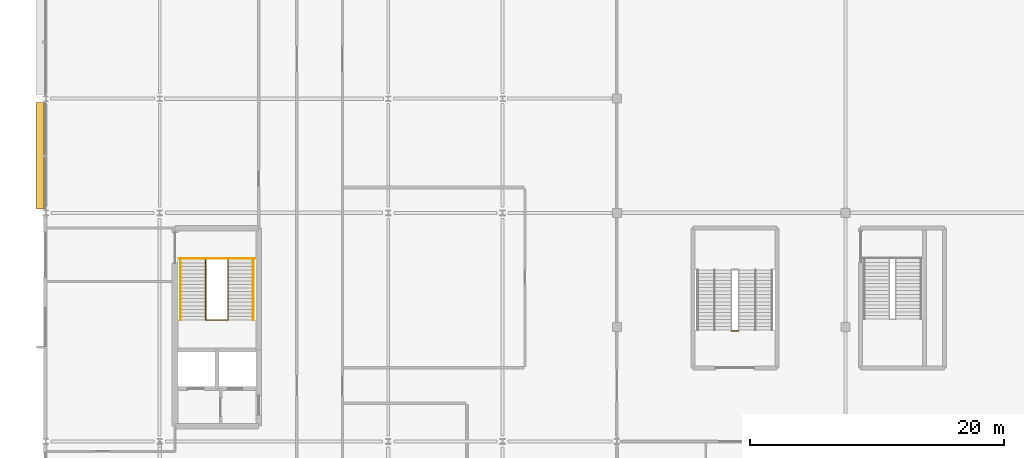
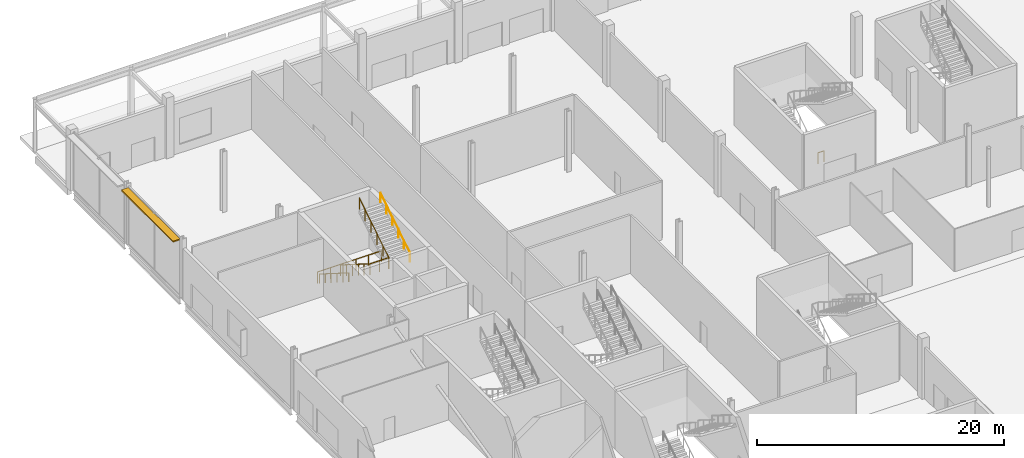
# One storey, part 74 of 84: 5 railings, 1 shading device.
"""IFC4 building model written with IfcOpenShell, lengths in metres."""

from ifc_helpers import new_model, si_unit, direction, frame, origin, origin_2d, place, context, subcontext, project, spatial, rectangle, circle, extrude, material, type_object, element, save


model = new_model("IFC4")

# Units and contexts
model_context = context("Model", 3, precision=1e-05, world=origin(), true_north=direction((0.0, 1.0)))
body_context = subcontext(model_context, "Body", "Model", "MODEL_VIEW")
ifc_project = project(units=[si_unit("LENGTHUNIT", "METRE"), si_unit("AREAUNIT", "SQUARE_METRE"), si_unit("VOLUMEUNIT", "CUBIC_METRE"), si_unit("PLANEANGLEUNIT", "RADIAN"), si_unit("MASSUNIT", "GRAM", prefix="KILO")], contexts=[model_context])

# Site, building, storey
site_placement = place(None, origin())
site = spatial("IfcSite", under=ifc_project, at=site_placement, CompositionType="ELEMENT")
building_placement = place(site_placement, origin())
building = spatial("IfcBuilding", under=site, at=building_placement, Name="Kisiwana Market Hall", CompositionType="ELEMENT")
storey_placement = place(building_placement, origin())
storey = spatial("IfcBuildingStorey", under=building, at=storey_placement, Name="L00", CompositionType="ELEMENT", Elevation=0.0)

# Railings
ifc_material_1 = material(Name="Steel S275", Category="steel")
railing_type_1 = type_object("IfcRailingType", Name="RL-GUARD-1100", PredefinedType="GUARDRAIL", material=ifc_material_1)
railing_1_placement = place(storey_placement, frame((12.625, 98.325439453125, 0.0)))
element("IfcRailing", 1, at=railing_1_placement, inside=storey, type_object=railing_type_1, Name="Stair ST-W1-L00 inner-well guardrail (RL-151)", PredefinedType="GUARDRAIL", context=body_context, shape_type="SweptSolid", body=[
    extrude(circle(Radius=0.02392578125, at=origin_2d()), frame((0.0, 0.0, 1.076171875), z_axis=(0.0, -0.845995810448, 0.533189542944), x_axis=(1.0, 0.0, 0.0)), (0.0, 0.0, 1.0), 5.62646484375),
    extrude(circle(Radius=0.02392578125, at=origin_2d()), frame((0.0, -4.760009765625, 4.076171875), z_axis=(1.0, 0.0, 0.0), x_axis=(0.0, 1.0, 0.0)), (0.0, 0.0, 1.0), 1.75),
    extrude(circle(Radius=0.02392578125, at=origin_2d()), frame((1.75, -4.760009765625, 4.076171875), z_axis=(0.0, 0.845995810448, 0.533189542944), x_axis=(-1.0, 0.0, 0.0)), (0.0, 0.0, 1.0), 5.62646484375),
    extrude(circle(Radius=0.02099609375, at=origin_2d()), origin(), (0.0, 0.0, 1.0), 1.052001953125),
    extrude(circle(Radius=0.02099609375, at=origin_2d()), frame((0.0, -0.951904296875, 0.60009765625)), (0.0, 0.0, 1.0), 1.052001953125),
    extrude(circle(Radius=0.02099609375, at=origin_2d()), frame((0.0, -1.904052734375, 1.199951171875)), (0.0, 0.0, 1.0), 1.052001953125),
    extrude(circle(Radius=0.02099609375, at=origin_2d()), frame((0.0, -2.85595703125, 1.800048828125)), (0.0, 0.0, 1.0), 1.052001953125),
    extrude(circle(Radius=0.02099609375, at=origin_2d()), frame((0.0, -3.80810546875, 2.39990234375)), (0.0, 0.0, 1.0), 1.052001953125),
    extrude(circle(Radius=0.02099609375, at=origin_2d()), frame((0.0, -4.760009765625, 3.0)), (0.0, 0.0, 1.0), 1.052001953125),
    extrude(circle(Radius=0.02099609375, at=origin_2d()), frame((0.875, -4.760009765625, 3.0)), (0.0, 0.0, 1.0), 1.052001953125),
    extrude(circle(Radius=0.02099609375, at=origin_2d()), frame((1.75, -4.760009765625, 3.0)), (0.0, 0.0, 1.0), 1.052001953125),
    extrude(circle(Radius=0.02099609375, at=origin_2d()), frame((1.75, -3.80810546875, 3.60009765625)), (0.0, 0.0, 1.0), 1.052001953125),
    extrude(circle(Radius=0.02099609375, at=origin_2d()), frame((1.75, -2.85595703125, 4.199951171875)), (0.0, 0.0, 1.0), 1.052001953125),
    extrude(circle(Radius=0.02099609375, at=origin_2d()), frame((1.75, -1.904052734375, 4.800048828125)), (0.0, 0.0, 1.0), 1.052001953125),
    extrude(circle(Radius=0.02099609375, at=origin_2d()), frame((1.75, -0.951904296875, 5.39990234375)), (0.0, 0.0, 1.0), 1.052001953125),
    extrude(circle(Radius=0.02099609375, at=origin_2d()), frame((1.75, 0.0, 6.0)), (0.0, 0.0, 1.0), 1.052001953125),
])
railing_2_placement = place(storey_placement, frame((10.5048828125, 98.405517578125, 0.0)))
element("IfcRailing", 2, at=railing_2_placement, inside=storey, type_object=railing_type_1, Name="Stair ST-W1-L00 landing edge guardrail (RL-154)", PredefinedType="GUARDRAIL", context=body_context, shape_type="SweptSolid", body=[
    extrude(circle(Radius=0.02392578125, at=origin_2d()), frame((0.0, 0.0, 1.076171875), z_axis=(1.0, 0.0, 0.0), x_axis=(0.0, 1.0, 0.0)), (0.0, 0.0, 1.0), 5.990234375),
    extrude(circle(Radius=0.02099609375, at=origin_2d()), origin(), (0.0, 0.0, 1.0), 1.052001953125),
    extrude(circle(Radius=0.02099609375, at=origin_2d()), frame((1.197998046875, 0.0, 0.0)), (0.0, 0.0, 1.0), 1.052001953125),
    extrude(circle(Radius=0.02099609375, at=origin_2d()), frame((2.39599609375, 0.0, 0.0)), (0.0, 0.0, 1.0), 1.052001953125),
    extrude(circle(Radius=0.02099609375, at=origin_2d()), frame((3.59423828125, 0.0, 0.0)), (0.0, 0.0, 1.0), 1.052001953125),
    extrude(circle(Radius=0.02099609375, at=origin_2d()), frame((4.792236328125, 0.0, 0.0)), (0.0, 0.0, 1.0), 1.052001953125),
    extrude(circle(Radius=0.02099609375, at=origin_2d()), frame((5.990234375, 0.0, 0.0)), (0.0, 0.0, 1.0), 1.052001953125),
])
railing_3_placement = place(storey_placement, frame((54.02001953125, 92.7099609375, 0.0)))
element("IfcRailing", 3, at=railing_3_placement, inside=storey, type_object=railing_type_1, Name="Stair ST-N3-L00 landing edge guardrail (RL-274)", PredefinedType="GUARDRAIL", context=body_context, shape_type="SweptSolid", body=[
    extrude(circle(Radius=0.02392578125, at=origin_2d()), frame((0.0, 0.0, 1.076171875), z_axis=(1.0, 0.0, 0.0), x_axis=(0.0, 1.0, 0.0)), (0.0, 0.0, 1.0), 0.56005859375),
    extrude(circle(Radius=0.02099609375, at=origin_2d()), origin(), (0.0, 0.0, 1.0), 1.052001953125),
    extrude(circle(Radius=0.02099609375, at=origin_2d()), frame((0.56005859375, 0.0, 0.0)), (0.0, 0.0, 1.0), 1.052001953125),
])
ifc_material_2 = material(Name="Steel S275", Category="steel")
railing_type_2 = type_object("IfcRailingType", Name="RL-HAND-900", PredefinedType="HANDRAIL", material=ifc_material_2)
railing_4_placement = place(storey_placement, frame((10.635009765625, 98.325439453125, 0.0)))
element("IfcRailing", 4, at=railing_4_placement, inside=storey, type_object=railing_type_2, Name="Stair ST-W1-L00 flight 1 handrail (RL-152)", PredefinedType="HANDRAIL", context=body_context, shape_type="SweptSolid", body=[
    extrude(circle(Radius=0.02392578125, at=origin_2d()), frame((0.0, 0.0, 0.8759765625), z_axis=(0.0, -0.845995810448, 0.533189542944), x_axis=(1.0, 0.0, 0.0)), (0.0, 0.0, 1.0), 5.62646484375),
    extrude(circle(Radius=0.02099609375, at=origin_2d()), origin(), (0.0, 0.0, 1.0), 0.851806640625),
    extrude(circle(Radius=0.02099609375, at=origin_2d()), frame((0.0, -0.951904296875, 0.60009765625)), (0.0, 0.0, 1.0), 0.851806640625),
    extrude(circle(Radius=0.02099609375, at=origin_2d()), frame((0.0, -1.904052734375, 1.199951171875)), (0.0, 0.0, 1.0), 0.851806640625),
    extrude(circle(Radius=0.02099609375, at=origin_2d()), frame((0.0, -2.85595703125, 1.800048828125)), (0.0, 0.0, 1.0), 0.851806640625),
    extrude(circle(Radius=0.02099609375, at=origin_2d()), frame((0.0, -3.80810546875, 2.39990234375)), (0.0, 0.0, 1.0), 0.851806640625),
    extrude(circle(Radius=0.02099609375, at=origin_2d()), frame((0.0, -4.760009765625, 3.0)), (0.0, 0.0, 1.0), 0.851806640625),
])
railing_5_placement = place(storey_placement, frame((16.364990234375, 93.5654296875, 3.0)))
element("IfcRailing", 5, at=railing_5_placement, inside=storey, type_object=railing_type_2, Name="Stair ST-W1-L00 flight 2 handrail (RL-153)", PredefinedType="HANDRAIL", context=body_context, shape_type="SweptSolid", body=[
    extrude(circle(Radius=0.02392578125, at=origin_2d()), frame((0.0, 0.0, 0.8759765625), z_axis=(0.0, 0.845995810448, 0.533189542944), x_axis=(-1.0, 0.0, 0.0)), (0.0, 0.0, 1.0), 5.62646484375),
    extrude(circle(Radius=0.02099609375, at=origin_2d()), origin(), (0.0, 0.0, 1.0), 0.851806640625),
    extrude(circle(Radius=0.02099609375, at=origin_2d()), frame((0.0, 0.951904296875, 0.60009765625)), (0.0, 0.0, 1.0), 0.851806640625),
    extrude(circle(Radius=0.02099609375, at=origin_2d()), frame((0.0, 1.904052734375, 1.199951171875)), (0.0, 0.0, 1.0), 0.851806640625),
    extrude(circle(Radius=0.02099609375, at=origin_2d()), frame((0.0, 2.85595703125, 1.800048828125)), (0.0, 0.0, 1.0), 0.851806640625),
    extrude(circle(Radius=0.02099609375, at=origin_2d()), frame((0.0, 3.80810546875, 2.39990234375)), (0.0, 0.0, 1.0), 0.851806640625),
    extrude(circle(Radius=0.02099609375, at=origin_2d()), frame((0.0, 4.760009765625, 3.0)), (0.0, 0.0, 1.0), 0.851806640625),
])

# Shading device
ifc_material_3 = material(Name="Aluminium alloy 6063-T6", Category="aluminium")
shading_device_type = type_object("IfcShadingDeviceType", Name="SHD-JALOUSIE-H", PredefinedType="JALOUSIE", material=ifc_material_3)
shading_device_placement = place(storey_placement, frame((-0.419921875, 106.507080078125, 5.56982421875), z_axis=(0.0, 0.0, 1.0), x_axis=(0.0, 1.0, 0.0)))
element("IfcShadingDevice", 6, at=shading_device_placement, inside=storey, type_object=shading_device_type, Name="Aluminium brise-soleil louvre SHD-003 SD-003", PredefinedType="JALOUSIE", context=body_context, shape_type="SweptSolid", body=[
    extrude(rectangle(XDim=8.37939453125, YDim=0.64990234375, at=origin_2d()), origin(), (0.0, 0.0, 1.0), 0.1201171875),
])

save(model, "model.ifc")
